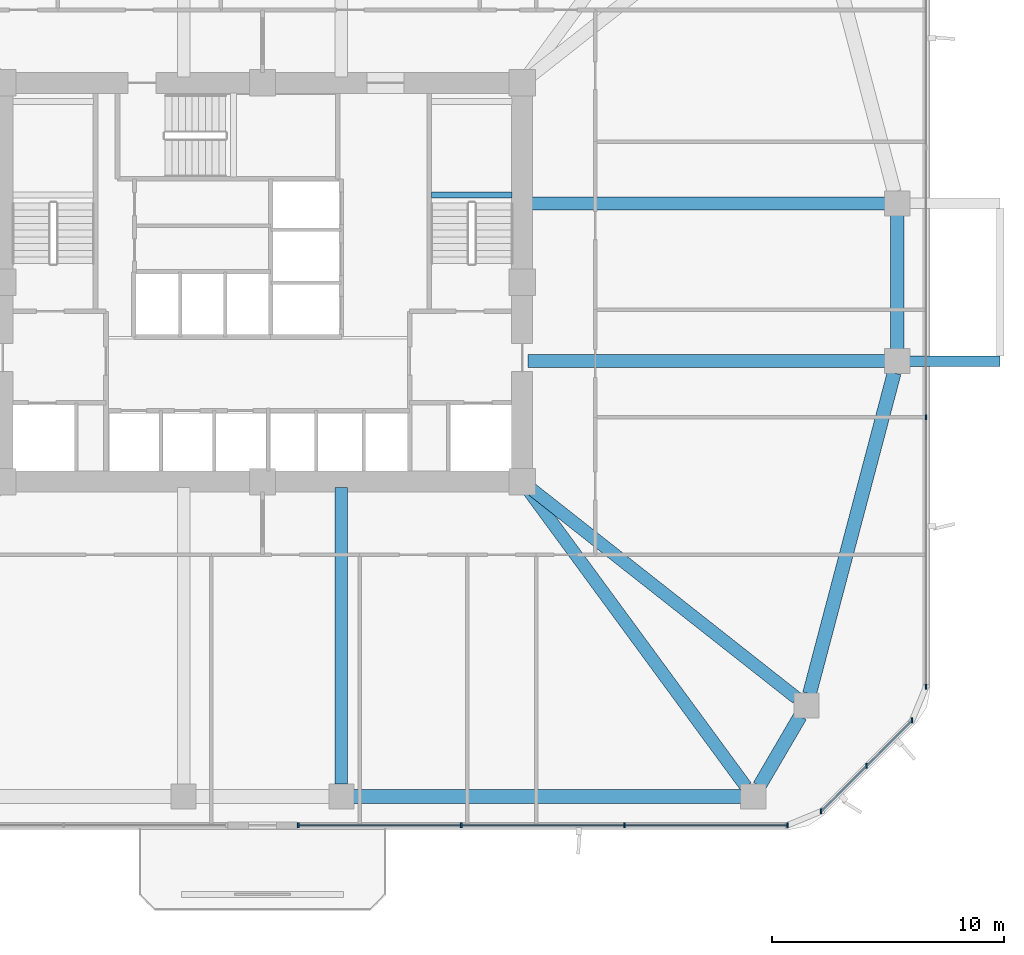
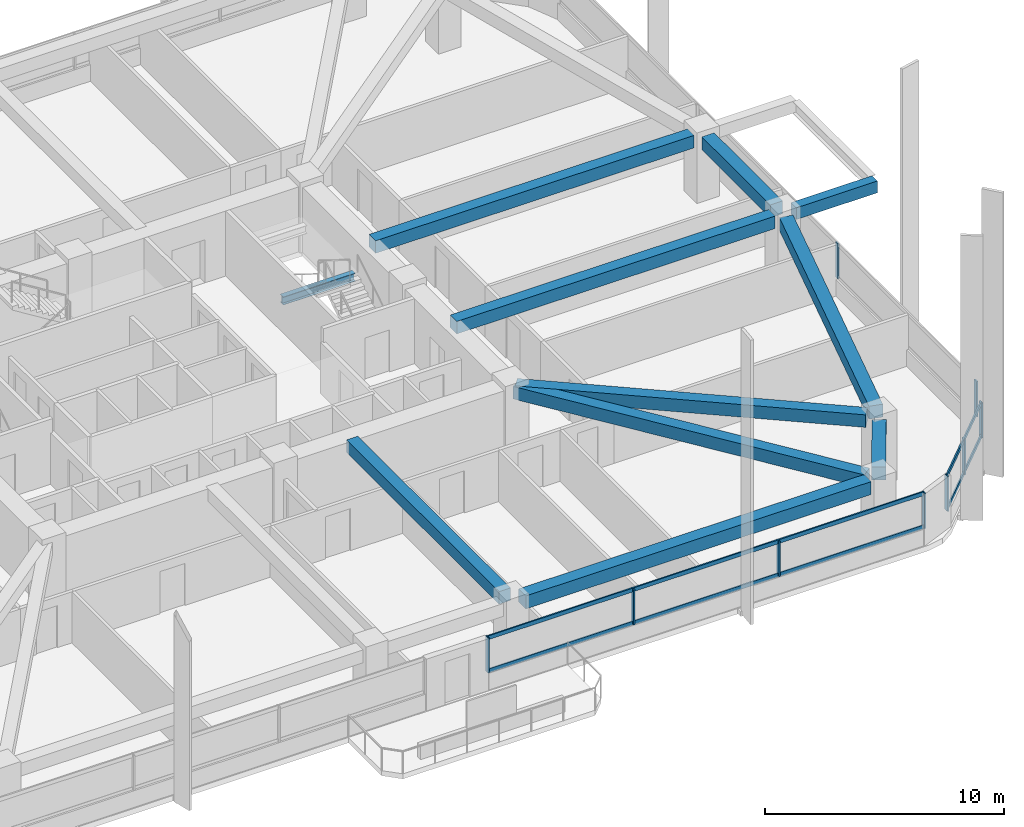
# One storey, part 4 of 17: 13 members, 11 beams, 3 elements without a shape of their own.
"""IFC4 building model written with IfcOpenShell, lengths in metres."""

from ifc_helpers import new_model, si_unit, derived_unit, direction, frame, origin, origin_2d, place, context, subcontext, project, spatial, rectangle, i_section, extrude, material, material_profile, profile_set, type_object, element, aggregate, save


model = new_model("IFC4")

# Units and contexts
model_context = context("Model", 3, precision=1e-05, world=origin(), true_north=direction((0.0, 1.0)))
body_context = subcontext(model_context, "Body", "Model", "MODEL_VIEW")
ifc_project = project(units=[si_unit("LENGTHUNIT", "METRE"), si_unit("AREAUNIT", "SQUARE_METRE"), si_unit("VOLUMEUNIT", "CUBIC_METRE"), si_unit("PLANEANGLEUNIT", "RADIAN"), si_unit("MASSUNIT", "GRAM", prefix="KILO"), derived_unit("THERMALTRANSMITTANCEUNIT", [(si_unit("POWERUNIT", "WATT"), 1), (si_unit("LENGTHUNIT", "METRE"), -2), (si_unit("THERMODYNAMICTEMPERATUREUNIT", "KELVIN"), -1)])], contexts=[model_context])

# Site, building, storey
site_placement = place(None, origin())
site = spatial("IfcSite", under=ifc_project, at=site_placement, CompositionType="ELEMENT")
building_placement = place(site_placement, origin())
building = spatial("IfcBuilding", under=site, at=building_placement, Name="Koralith Skygarden Medical Center", CompositionType="ELEMENT")
storey_placement = place(building_placement, frame((0.0, 0.0, 38.340087890625)))
storey = spatial("IfcBuildingStorey", under=building, at=storey_placement, Name="L09", CompositionType="ELEMENT", Elevation=38.340087890625)

# Curtain wall, members
ifc_material_1 = material(Name="Clear Laminated Glass", Category="glass")
curtain_wall_type = type_object("IfcCurtainWallType", Name="CW-2 Zone 1 Hurricane Unitised Curtain Wall", PredefinedType="NOTDEFINED", material=ifc_material_1)
curtain_wall_1_placement = place(storey_placement, origin())
curtain_wall_1 = element("IfcCurtainWall", 1, at=curtain_wall_1_placement, inside=storey, type_object=curtain_wall_type, Name="Curtain Wall CW-L09-S-R", PredefinedType="NOTDEFINED")
ifc_material_2 = material(Name="Aluminium 6063-T6", Category="aluminium")
ifc_material_profile_1 = material_profile(ifc_material_2, rectangle(XDim=0.071044921875, YDim=0.219970703125, at=origin_2d()), Name="MUL71X220")
ifc_profile_set_1 = profile_set([ifc_material_profile_1], Name="Aluminium 6063-T6")
member_type_1 = type_object("IfcMemberType", Name="CW-2 Extruded Mullion 71x220", PredefinedType="MULLION", material=ifc_profile_set_1)
member_1_placement = place(storey_placement, frame((38.5400390625, 2.47998046875, 0.849853515625), z_axis=(0.0, 0.0, 1.0), x_axis=(1.0, 0.0, 0.0)))
member_1 = element("IfcMember", 2, at=member_1_placement, type_object=member_type_1, Name="CW-L09-S-R Mullion 1", PredefinedType="MULLION", context=body_context, shape_type="SweptSolid", body=[
    extrude(rectangle(XDim=0.071044921875, YDim=0.219970703125, at=origin_2d()), origin(), (0.0, 0.0, 1.0), 1.800048828125),
])
member_2_placement = place(storey_placement, frame((45.574951171875, 2.47998046875, 0.849853515625), z_axis=(0.0, 0.0, 1.0), x_axis=(1.0, 0.0, 0.0)))
member_2 = element("IfcMember", 3, at=member_2_placement, type_object=member_type_1, Name="CW-L09-S-R Mullion 2", PredefinedType="MULLION", context=body_context, shape_type="SweptSolid", body=[
    extrude(rectangle(XDim=0.071044921875, YDim=0.219970703125, at=origin_2d()), origin(), (0.0, 0.0, 1.0), 1.800048828125),
])
member_3_placement = place(storey_placement, frame((52.610107421875, 2.47998046875, 0.849853515625), z_axis=(0.0, 0.0, 1.0), x_axis=(1.0, 0.0, 0.0)))
member_3 = element("IfcMember", 4, at=member_3_placement, type_object=member_type_1, Name="CW-L09-S-R Mullion 3", PredefinedType="MULLION", context=body_context, shape_type="SweptSolid", body=[
    extrude(rectangle(XDim=0.071044921875, YDim=0.219970703125, at=origin_2d()), origin(), (0.0, 0.0, 1.0), 1.800048828125),
])
member_4_placement = place(storey_placement, frame((59.64501953125, 2.47998046875, 0.849853515625), z_axis=(0.0, 0.0, 1.0), x_axis=(1.0, 0.0, 0.0)))
member_4 = element("IfcMember", 5, at=member_4_placement, type_object=member_type_1, Name="CW-L09-S-R Mullion 4", PredefinedType="MULLION", context=body_context, shape_type="SweptSolid", body=[
    extrude(rectangle(XDim=0.071044921875, YDim=0.219970703125, at=origin_2d()), origin(), (0.0, 0.0, 1.0), 1.800048828125),
])

curtain_wall_2_placement = place(storey_placement, origin())
curtain_wall_2 = element("IfcCurtainWall", 6, at=curtain_wall_2_placement, inside=storey, type_object=curtain_wall_type, Name="Curtain Wall CW-L09-SE", PredefinedType="NOTDEFINED")
member_5_placement = place(storey_placement, frame((61.095947265625, 3.0810546875, 0.849853515625), z_axis=(0.0, 0.0, 1.0), x_axis=(1.0, 0.0, 0.0)))
member_5 = element("IfcMember", 7, at=member_5_placement, type_object=member_type_1, Name="CW-L09-SE Mullion 1", PredefinedType="MULLION", context=body_context, shape_type="SweptSolid", body=[
    extrude(rectangle(XDim=0.071044921875, YDim=0.219970703125, at=origin_2d()), origin(), (0.0, 0.0, 1.0), 1.800048828125),
])
member_6_placement = place(storey_placement, frame((63.056884765625, 5.0419921875, 0.849853515625), z_axis=(0.0, 0.0, 1.0), x_axis=(1.0, 0.0, 0.0)))
member_6 = element("IfcMember", 8, at=member_6_placement, type_object=member_type_1, Name="CW-L09-SE Mullion 2", PredefinedType="MULLION", context=body_context, shape_type="SweptSolid", body=[
    extrude(rectangle(XDim=0.071044921875, YDim=0.219970703125, at=origin_2d()), origin(), (0.0, 0.0, 1.0), 1.800048828125),
])
member_7_placement = place(storey_placement, frame((65.01904296875, 7.00390625, 0.849853515625), z_axis=(0.0, 0.0, 1.0), x_axis=(1.0, 0.0, 0.0)))
member_7 = element("IfcMember", 9, at=member_7_placement, type_object=member_type_1, Name="CW-L09-SE Mullion 3", PredefinedType="MULLION", context=body_context, shape_type="SweptSolid", body=[
    extrude(rectangle(XDim=0.071044921875, YDim=0.219970703125, at=origin_2d()), origin(), (0.0, 0.0, 1.0), 1.800048828125),
])

curtain_wall_3_placement = place(storey_placement, origin())
curtain_wall_3 = element("IfcCurtainWall", 10, at=curtain_wall_3_placement, inside=storey, type_object=curtain_wall_type, Name="Curtain Wall CW-L09-E", PredefinedType="NOTDEFINED")
member_8_placement = place(storey_placement, frame((65.6201171875, 8.455078125, 0.849853515625), z_axis=(0.0, 0.0, 1.0), x_axis=(1.0, 0.0, 0.0)))
member_8 = element("IfcMember", 11, at=member_8_placement, type_object=member_type_1, Name="CW-L09-E Mullion 1", PredefinedType="MULLION", context=body_context, shape_type="SweptSolid", body=[
    extrude(rectangle(XDim=0.071044921875, YDim=0.219970703125, at=origin_2d()), origin(), (0.0, 0.0, 1.0), 1.800048828125),
])
member_9_placement = place(storey_placement, frame((65.6201171875, 20.0849609375, 0.849853515625), z_axis=(0.0, 0.0, 1.0), x_axis=(1.0, 0.0, 0.0)))
member_9 = element("IfcMember", 12, at=member_9_placement, type_object=member_type_1, Name="CW-L09-E Mullion 2", PredefinedType="MULLION", context=body_context, shape_type="SweptSolid", body=[
    extrude(rectangle(XDim=0.071044921875, YDim=0.219970703125, at=origin_2d()), origin(), (0.0, 0.0, 1.0), 1.800048828125),
])
aggregate(curtain_wall_3, [member_8, member_9])

# Member
ifc_material_profile_2 = material_profile(ifc_material_2, rectangle(XDim=0.06591796875, YDim=0.197998046875, at=origin_2d()), Name="TRN66X198")
ifc_profile_set_2 = profile_set([ifc_material_profile_2], Name="Aluminium 6063-T6")
member_type_2 = type_object("IfcMemberType", Name="CW-2 Thermal Transom 66x198", PredefinedType="USERDEFINED", material=ifc_profile_set_2)
member_10_placement = place(storey_placement, frame((38.5400390625, 2.47998046875, 0.89990234375), z_axis=(1.0, 0.0, 0.0), x_axis=(0.0, 1.0, 0.0)))
member_10 = element("IfcMember", 13, at=member_10_placement, type_object=member_type_2, Name="CW-L09-S-R Transom 1", ObjectType="TRANSOM", PredefinedType="USERDEFINED", context=body_context, shape_type="SweptSolid", body=[
    extrude(rectangle(XDim=0.06591796875, YDim=0.197998046875, at=origin_2d()), origin(), (0.0, 0.0, 1.0), 21.10498046875),
])

member_11_placement = place(storey_placement, frame((38.5400390625, 2.47998046875, 2.599853515625), z_axis=(1.0, 0.0, 0.0), x_axis=(0.0, 1.0, 0.0)))
member_11 = element("IfcMember", 14, at=member_11_placement, type_object=member_type_2, Name="CW-L09-S-R Transom 2", ObjectType="TRANSOM", PredefinedType="USERDEFINED", context=body_context, shape_type="SweptSolid", body=[
    extrude(rectangle(XDim=0.06591796875, YDim=0.197998046875, at=origin_2d()), origin(), (0.0, 0.0, 1.0), 21.10498046875),
])

aggregate(curtain_wall_1, [member_1, member_2, member_3, member_4, member_10, member_11])

member_12_placement = place(storey_placement, frame((61.095947265625, 3.0810546875, 0.89990234375), z_axis=(0.707128783731, 0.707084777957, 0.0), x_axis=(-0.707084777957, 0.707128783731, 0.0)))
member_12 = element("IfcMember", 15, at=member_12_placement, type_object=member_type_2, Name="CW-L09-SE Transom 1", ObjectType="TRANSOM", PredefinedType="USERDEFINED", context=body_context, shape_type="SweptSolid", body=[
    extrude(rectangle(XDim=0.06591796875, YDim=0.197998046875, at=origin_2d()), origin(), (0.0, 0.0, 1.0), 5.5478515625),
])

member_13_placement = place(storey_placement, frame((61.095947265625, 3.0810546875, 2.599853515625), z_axis=(0.707128783731, 0.707084777957, 0.0), x_axis=(-0.707084777957, 0.707128783731, 0.0)))
member_13 = element("IfcMember", 16, at=member_13_placement, type_object=member_type_2, Name="CW-L09-SE Transom 2", ObjectType="TRANSOM", PredefinedType="USERDEFINED", context=body_context, shape_type="SweptSolid", body=[
    extrude(rectangle(XDim=0.06591796875, YDim=0.197998046875, at=origin_2d()), origin(), (0.0, 0.0, 1.0), 5.5478515625),
])

aggregate(curtain_wall_2, [member_5, member_6, member_7, member_12, member_13])

# Beams
ifc_material_3 = material(Name="Steel ASTM A992 Grade 50", Category="steel")
ifc_material_profile_3 = material_profile(ifc_material_3, i_section(OverallWidth=0.260009765625, OverallDepth=0.4150390625, WebThickness=0.010009765625, FlangeThickness=0.016845703125, at=origin_2d()), Name="W16X67")
ifc_profile_set_3 = profile_set([ifc_material_profile_3], Name="Steel ASTM A992 Grade 50")
beam_type_1 = type_object("IfcBeamType", Name="Clinical Floor Joist W16X67", PredefinedType="JOIST", material=ifc_profile_set_3)
beam_1_placement = place(storey_placement, frame((44.280029296875, 29.659912109375, 1.391845703125), z_axis=(1.0, 0.0, 0.0), x_axis=(0.0, 1.0, 0.0)))
element("IfcBeam", 17, at=beam_1_placement, inside=storey, type_object=beam_type_1, Name="L09 Stair ST2 Half-Landing Support Beam 1A", PredefinedType="JOIST", context=body_context, shape_type="SweptSolid", body=[
    extrude(i_section(OverallWidth=0.260009765625, OverallDepth=0.4150390625, WebThickness=0.010009765625, FlangeThickness=0.016845703125, at=origin_2d()), origin(), (0.0, 0.0, 1.0), 3.489990234375),
])
ifc_material_4 = material(Name="Concrete C45/55", Category="concrete")
ifc_material_profile_4 = material_profile(ifc_material_4, rectangle(XDim=0.449951171875, YDim=0.60009765625, at=origin_2d()), Name="RCB450X600")
ifc_profile_set_4 = profile_set([ifc_material_profile_4], Name="Concrete C45/55")
beam_type_2 = type_object("IfcBeamType", Name="Planted Balcony Cantilever Beam RCB450X600", PredefinedType="BEAM", material=ifc_profile_set_4)
beam_2_placement = place(storey_placement, frame((64.89990234375, 22.5, 3.039794921875), z_axis=(1.0, 0.0, 0.0), x_axis=(0.0, 1.0, 0.0)))
element("IfcBeam", 18, at=beam_2_placement, inside=storey, type_object=beam_type_2, Name="L10 E Balcony Cantilever Beam A", PredefinedType="BEAM", context=body_context, shape_type="SweptSolid", body=[
    extrude(rectangle(XDim=0.449951171875, YDim=0.60009765625, at=origin_2d()), origin(), (0.0, 0.0, 1.0), 3.920166015625),
])
ifc_material_profile_5 = material_profile(ifc_material_4, rectangle(XDim=0.550048828125, YDim=0.639892578125, at=origin_2d()), Name="RCB550X640")
ifc_profile_set_5 = profile_set([ifc_material_profile_5], Name="Concrete C45/55")
beam_type_3 = type_object("IfcBeamType", Name="Radial Collector Beam RCB550X640", PredefinedType="BEAM", material=ifc_profile_set_5)
beam_3_placement = place(storey_placement, frame((40.39990234375, 17.050048828125, 3.0), z_axis=(0.0, -1.0, 0.0), x_axis=(1.0, 0.0, 0.0)))
element("IfcBeam", 19, at=beam_3_placement, inside=storey, type_object=beam_type_3, Name="L09 Radial Collector Beam RB-05", PredefinedType="BEAM", context=body_context, shape_type="SweptSolid", body=[
    extrude(rectangle(XDim=0.550048828125, YDim=0.639892578125, at=origin_2d()), origin(), (0.0, 0.0, 1.0), 12.800048828125),
])
beam_4_placement = place(storey_placement, frame((48.347900390625, 17.097900390625, 3.0), z_axis=(0.591718052249, -0.806144991079, 0.0), x_axis=(0.806144991079, 0.591718052249, 0.0)))
element("IfcBeam", 20, at=beam_4_placement, inside=storey, type_object=beam_type_3, Name="L09 Radial Collector Beam RB-06", PredefinedType="BEAM", context=body_context, shape_type="SweptSolid", body=[
    extrude(rectangle(XDim=0.550048828125, YDim=0.639892578125, at=origin_2d()), origin(), (0.0, 0.0, 1.0), 16.065185546875),
])
beam_5_placement = place(storey_placement, frame((48.39599609375, 17.14501953125, 3.0), z_axis=(0.785497250365, -0.618865146594, 0.0), x_axis=(0.618865146594, 0.785497250365, 0.0)))
element("IfcBeam", 21, at=beam_5_placement, inside=storey, type_object=beam_type_3, Name="L09 Radial Collector Beam RB-07", PredefinedType="BEAM", context=body_context, shape_type="SweptSolid", body=[
    extrude(rectangle(XDim=0.550048828125, YDim=0.639892578125, at=origin_2d()), origin(), (0.0, 0.0, 1.0), 14.828857421875),
])
for number, where, z_axis, x_axis, name in (
    (22, (48.449951171875, 22.5, 3.0), (1.0, 0.0, 0.0), (0.0, 1.0, 0.0), "L09 Radial Collector Beam RB-08"),
    (23, (48.449951171875, 29.300048828125, 3.0), (1.0, 0.0, 0.0), (0.0, 1.0, 0.0), "L09 Radial Collector Beam RB-09"),
):
    element("IfcBeam", number, at=place(storey_placement, frame(where, z_axis=z_axis, x_axis=x_axis)), inside=storey, type_object=beam_type_3, Name=name, PredefinedType="BEAM", context=body_context, shape_type="SweptSolid", body=[
        extrude(rectangle(XDim=0.550048828125, YDim=0.639892578125, at=origin_2d()), origin(), (0.0, 0.0, 1.0), 15.400146484375),
    ])
ifc_material_profile_6 = material_profile(ifc_material_4, rectangle(XDim=0.60009765625, YDim=0.659912109375, at=origin_2d()), Name="RCB600X660")
ifc_profile_set_6 = profile_set([ifc_material_profile_6], Name="Concrete C45/55")
beam_type_4 = type_object("IfcBeamType", Name="Zone 1 Spandrel Beam RCB600X660", PredefinedType="SPANDREL", material=ifc_profile_set_6)
beam_6_placement = place(storey_placement, frame((40.929931640625, 3.719970703125, 2.989990234375), z_axis=(1.0, 0.0, 0.0), x_axis=(0.0, 1.0, 0.0)))
element("IfcBeam", 24, at=beam_6_placement, inside=storey, type_object=beam_type_4, Name="L09 Perimeter Spandrel Beam SP-05", PredefinedType="SPANDREL", context=body_context, shape_type="SweptSolid", body=[
    extrude(rectangle(XDim=0.60009765625, YDim=0.659912109375, at=origin_2d()), origin(), (0.0, 0.0, 1.0), 16.7080078125),
])
beam_7_placement = place(storey_placement, frame((58.43603515625, 4.177978515625, 2.989990234375), z_axis=(0.504638660636, 0.863330656349, 0.0), x_axis=(-0.863330656349, 0.504638660636, 0.0)))
element("IfcBeam", 25, at=beam_7_placement, inside=storey, type_object=beam_type_4, Name="L09 Perimeter Spandrel Beam SP-06", PredefinedType="SPANDREL", context=body_context, shape_type="SweptSolid", body=[
    extrude(rectangle(XDim=0.60009765625, YDim=0.659912109375, at=origin_2d()), origin(), (0.0, 0.0, 1.0), 3.4794921875),
])
beam_8_placement = place(storey_placement, frame((60.594970703125, 8.152099609375, 2.989990234375), z_axis=(0.255088684842, 0.966917660851, 0.0), x_axis=(-0.966917660851, 0.255088684842, 0.0)))
element("IfcBeam", 26, at=beam_8_placement, inside=storey, type_object=beam_type_4, Name="L09 Perimeter Spandrel Beam SP-07", PredefinedType="SPANDREL", context=body_context, shape_type="SweptSolid", body=[
    extrude(rectangle(XDim=0.60009765625, YDim=0.659912109375, at=origin_2d()), origin(), (0.0, 0.0, 1.0), 14.309326171875),
])
beam_9_placement = place(storey_placement, frame((64.3798828125, 23.030029296875, 2.989990234375), z_axis=(0.0, 1.0, 0.0), x_axis=(-1.0, 0.0, 0.0)))
element("IfcBeam", 27, at=beam_9_placement, inside=storey, type_object=beam_type_4, Name="L09 Perimeter Spandrel Beam SP-08", PredefinedType="SPANDREL", context=body_context, shape_type="SweptSolid", body=[
    extrude(rectangle(XDim=0.60009765625, YDim=0.659912109375, at=origin_2d()), origin(), (0.0, 0.0, 1.0), 5.739990234375),
])

save(model, "model.ifc")
